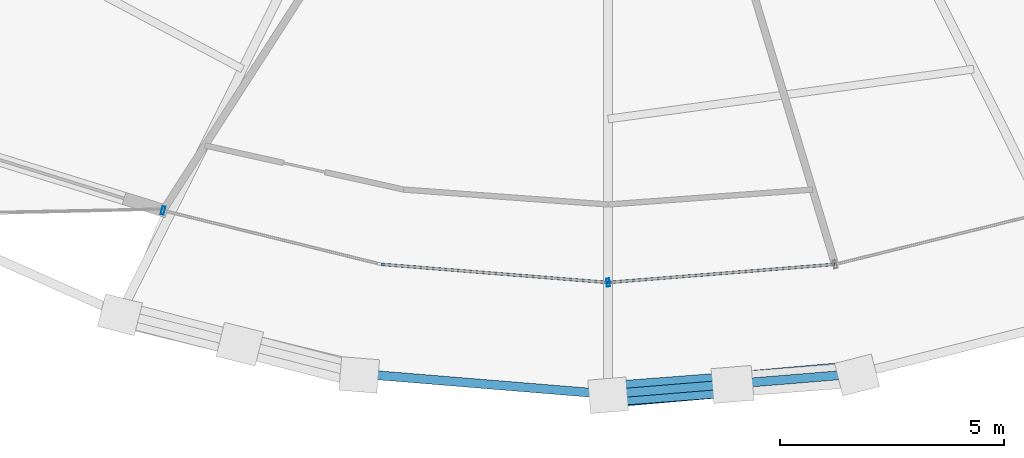
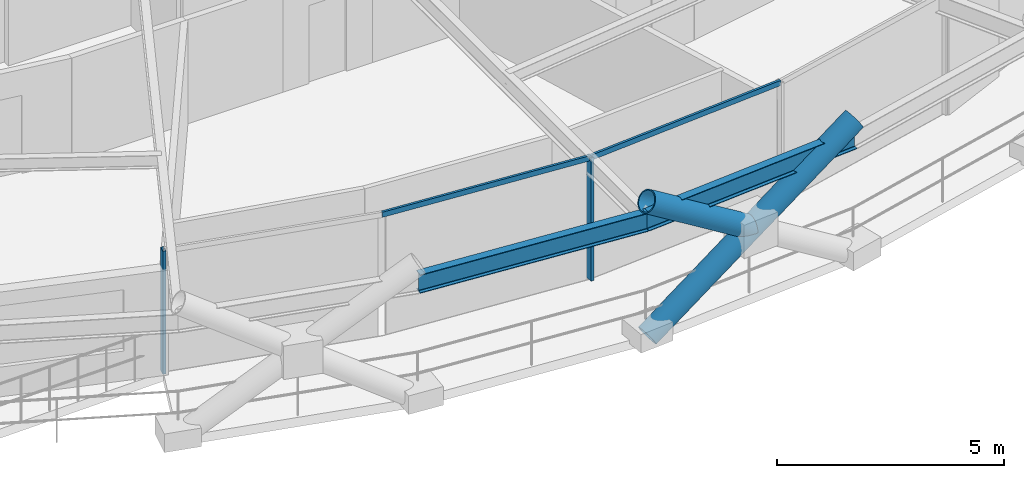
# One storey, part 2 of 21: 6 members, 2 beams, 1 element without a shape of its own.
"""IFC4 building model written with IfcOpenShell, lengths in metres."""

import ifcopenshell
import ifcopenshell.guid

model = None  # the IFC model being written
_history = None  # IfcOwnerHistory: only IFC2X3 demands one
_inside = {}  # id of a spatial element -> (the spatial element, [elements in it])
_under = {}  # id of a project, library or spatial element -> (it, [spatial elements below it])
_declared = {}  # id of a project -> (the project, [libraries it declares])
_typed = {}  # id of a type object -> (the type object, [elements of that type])
_made_of = {}  # id of a material, layer set ... -> (it, [elements and type objects made of it])


def new_model(schema):
    """Start an empty IFC model of exactly this schema.

    Asked for "IFC4X3", IfcOpenShell would pick the latest addendum, in which some entities
    have other attributes; the version numbers below select the first issue.
    IFC2X3 requires an IfcOwnerHistory on every rooted entity: one is made here for all.
    """
    global model, _history
    if schema == "IFC4X3":
        model = ifcopenshell.file(schema_version=(4, 3, 0, 0))
    else:
        model = ifcopenshell.file(schema=schema)
    _inside.clear()
    _under.clear()
    _declared.clear()
    _typed.clear()
    _made_of.clear()
    _history = None
    if model.schema == "IFC2X3":
        org = make("IfcOrganization", Name="unknown")
        user = make(
            "IfcPersonAndOrganization",
            ThePerson=make("IfcPerson", FamilyName="unknown"),
            TheOrganization=org,
        )
        app = make(
            "IfcApplication",
            ApplicationDeveloper=org,
            Version="unknown",
            ApplicationFullName="unknown",
            ApplicationIdentifier="unknown",
        )
        _history = make(
            "IfcOwnerHistory",
            OwningUser=user,
            OwningApplication=app,
            ChangeAction="ADDED",
            CreationDate=0,
        )
    return model


def make(cls, **values):
    """One entity of the class cls with the attributes given. An attribute that is None is left unset."""
    return model.create_entity(
        cls, **{name: value for name, value in values.items() if value is not None}
    )


def rooted(cls, **values):
    """An entity with a GlobalId (a new one), such as an element, a storey or a relation."""
    return make(cls, GlobalId=ifcopenshell.guid.new(), OwnerHistory=_history, **values)


def si_unit(unit_type, name, prefix=None):
    """IfcSIUnit, for example si_unit("LENGTHUNIT", "METRE", prefix="MILLI")."""
    return make("IfcSIUnit", UnitType=unit_type, Prefix=prefix, Name=name)


def assignment(units):
    """IfcUnitAssignment: the units of a project."""
    return None if units is None else make("IfcUnitAssignment", Units=units)


def point(xyz):
    """IfcCartesianPoint."""
    return None if xyz is None else make("IfcCartesianPoint", Coordinates=xyz)


def direction(xyz):
    """IfcDirection."""
    return None if xyz is None else make("IfcDirection", DirectionRatios=xyz)


def frame(location, z_axis=None, x_axis=None):
    """IfcAxis2Placement3D, a coordinate frame: its origin and axes. An axis left out is left unset."""
    return make(
        "IfcAxis2Placement3D",
        Location=point(location),
        Axis=direction(z_axis),
        RefDirection=direction(x_axis),
    )


def frame_2d(location, x_axis=None):
    """IfcAxis2Placement2D, a coordinate frame in the plane: its origin and x axis."""
    return make(
        "IfcAxis2Placement2D", Location=point(location), RefDirection=direction(x_axis)
    )


def origin():
    """The frame at (0, 0, 0) with its axes left unset."""
    return frame((0.0, 0.0, 0.0))


def origin_2d():
    """The frame at (0, 0) in the plane with its x axis left unset."""
    return frame_2d((0.0, 0.0))


def place(relative_to, where):
    """IfcLocalPlacement: puts the frame where relative to a parent placement (None: the world)."""
    return make(
        "IfcLocalPlacement", PlacementRelTo=relative_to, RelativePlacement=where
    )


def context(
    kind, dimensions, precision=None, world=None, true_north=None, identifier=None
):
    """IfcGeometricRepresentationContext, for example the 3D "Model" context."""
    return make(
        "IfcGeometricRepresentationContext",
        ContextIdentifier=identifier,
        ContextType=kind,
        CoordinateSpaceDimension=dimensions,
        Precision=precision,
        WorldCoordinateSystem=world,
        TrueNorth=true_north,
    )


def subcontext(parent, identifier, kind, view, scale=None):
    """IfcGeometricRepresentationSubContext, for example "Body" below "Model"."""
    return make(
        "IfcGeometricRepresentationSubContext",
        ContextIdentifier=identifier,
        ContextType=kind,
        ParentContext=parent,
        TargetScale=scale,
        TargetView=view,
    )


def project(units=None, contexts=None):
    """IfcProject with its units and contexts."""
    return rooted(
        "IfcProject",
        Name="project",
        RepresentationContexts=contexts,
        UnitsInContext=assignment(units),
    )


def spatial(cls, under=None, at=None, **own):
    """A site, building, storey or space (cls), placed at a placement, below another one or the project."""
    s = rooted(cls, ObjectPlacement=at, **own)
    if under is not None:
        _under.setdefault(under.id(), (under, []))[1].append(s)
    return s


def profile(cls, at=None, kind="AREA", **sizes):
    """A parametric profile (cls). Its sizes go by their IFC names, for example OverallWidth=200.0."""
    return make(cls, ProfileType=kind, Position=at, **sizes)


def hollow_rectangle(**sizes):
    """IfcRectangleHollowProfileDef."""
    return profile("IfcRectangleHollowProfileDef", **sizes)


def hollow_circle(**sizes):
    """IfcCircleHollowProfileDef."""
    return profile("IfcCircleHollowProfileDef", **sizes)


def i_section(**sizes):
    """IfcIShapeProfileDef."""
    return profile("IfcIShapeProfileDef", **sizes)


def extrude(swept, where, along, depth):
    """IfcExtrudedAreaSolid: the profile swept, set in the frame where, extruded along a direction by depth."""
    return make(
        "IfcExtrudedAreaSolid",
        SweptArea=swept,
        Position=where,
        ExtrudedDirection=direction(along),
        Depth=depth,
    )


def shape(context_of_items, identifier, shape_type, items):
    """IfcShapeRepresentation: the items that make up one representation, for example the "Body"."""
    return make(
        "IfcShapeRepresentation",
        ContextOfItems=context_of_items,
        RepresentationIdentifier=identifier,
        RepresentationType=shape_type,
        Items=items,
    )


def material(Name=None, Category=None):
    """IfcMaterial."""
    return make("IfcMaterial", Name=Name, Category=Category)


def layer(
    of_material, thickness, ventilated=None, Name=None, Category=None, Priority=None
):
    """IfcMaterialLayer: one layer of a wall or slab, of a material (None: an air gap)."""
    return make(
        "IfcMaterialLayer",
        Material=of_material,
        LayerThickness=thickness,
        IsVentilated=ventilated,
        Name=Name,
        Category=Category,
        Priority=Priority,
    )


def layer_set(layers, Name=None):
    """IfcMaterialLayerSet."""
    return make("IfcMaterialLayerSet", MaterialLayers=layers, LayerSetName=Name)


def material_profile(
    of_material, cross_section, Name=None, Category=None, Priority=None
):
    """IfcMaterialProfile: a cross section and its material."""
    return make(
        "IfcMaterialProfile",
        Name=Name,
        Material=of_material,
        Profile=cross_section,
        Priority=Priority,
        Category=Category,
    )


def profile_set(profiles, Name=None, composite=None):
    """IfcMaterialProfileSet."""
    return make(
        "IfcMaterialProfileSet",
        Name=Name,
        MaterialProfiles=profiles,
        CompositeProfile=composite,
    )


def made_of(thing, what):
    """Note that an element or type object is made of a material, layer set ...; save() writes the relation."""
    if what is not None:
        _made_of.setdefault(what.id(), (what, []))[1].append(thing)
    return thing


def type_object(cls, material=None, **own):
    """A type object (cls), such as IfcWallType, which elements share."""
    return made_of(rooted(cls, **own), material)


def element(
    cls,
    number,
    at=None,
    inside=None,
    cuts=None,
    type_object=None,
    material=None,
    context=None,
    identifier="Body",
    shape_type=None,
    held_by="IfcProductDefinitionShape",
    body=None,
    shapes=None,
    **own,
):
    """One element of the class cls, such as IfcWall. Its Tag is "e" and its number.

    at: its placement. inside: the storey or other place that contains it. cuts: it is an
    opening in that element (IfcRelVoidsElement). A single representation is given by context,
    identifier, shape_type and body (its items); several are given by shapes. held_by: the class
    of the entity that holds the representations. save() writes the other relations.
    """
    e = rooted(cls, Tag="e%d" % number, ObjectPlacement=at, **own)
    if body is not None:
        shapes = [shape(context, identifier, shape_type, body)]
    if shapes is not None:
        e.Representation = make(held_by, Representations=shapes)
    if inside is not None:
        _inside.setdefault(inside.id(), (inside, []))[1].append(e)
    if cuts is not None:
        rooted(
            "IfcRelVoidsElement", RelatingBuildingElement=cuts, RelatedOpeningElement=e
        )
    if type_object is not None:
        _typed.setdefault(type_object.id(), (type_object, []))[1].append(e)
    return made_of(e, material)


def aggregate(whole, parts):
    """IfcRelAggregates: a whole, such as a stair, and the parts it consists of."""
    return rooted("IfcRelAggregates", RelatingObject=whole, RelatedObjects=parts)


def save(model, path):
    """Write the relations noted so far, then the file.

    IfcRelAggregates (storeys below a building ...), IfcRelContainedInSpatialStructure (elements
    in a storey), IfcRelDefinesByType, IfcRelAssociatesMaterial and IfcRelDeclares: one each for
    every whole, place, type object, material and project.
    """
    for whole, parts in _under.values():
        aggregate(whole, parts)
    for where, things in _inside.values():
        rooted(
            "IfcRelContainedInSpatialStructure",
            RelatedElements=things,
            RelatingStructure=where,
        )
    for kind, things in _typed.values():
        rooted("IfcRelDefinesByType", RelatedObjects=things, RelatingType=kind)
    for what, things in _made_of.values():
        rooted("IfcRelAssociatesMaterial", RelatedObjects=things, RelatingMaterial=what)
    for by, libraries in _declared.values():
        rooted("IfcRelDeclares", RelatingContext=by, RelatedDefinitions=libraries)
    model.write(path)


model = new_model("IFC4")

# Units and contexts
model_context = context("Model", 3, precision=1e-05, world=origin(), true_north=direction((0.0, 1.0)))
body_context = subcontext(model_context, "Body", "Model", "MODEL_VIEW")
ifc_project = project(units=[si_unit("LENGTHUNIT", "METRE"), si_unit("AREAUNIT", "SQUARE_METRE"), si_unit("VOLUMEUNIT", "CUBIC_METRE"), si_unit("PLANEANGLEUNIT", "RADIAN"), si_unit("MASSUNIT", "GRAM", prefix="KILO")], contexts=[model_context])

# Site, building, storey
site_placement = place(None, origin())
site = spatial("IfcSite", under=ifc_project, at=site_placement, CompositionType="ELEMENT")
building_placement = place(site_placement, origin())
building = spatial("IfcBuilding", under=site, at=building_placement, Name="Veldorina Hangang Commons", CompositionType="ELEMENT")
storey_placement = place(building_placement, frame((0.0, 0.0, 135.199951171875)))
storey = spatial("IfcBuildingStorey", under=building, at=storey_placement, Name="L34", CompositionType="ELEMENT", Elevation=135.199951171875)

# Beams
ifc_material_1 = material(Name="Steel SM420-TMC", Category="steel")
ifc_material_profile_1 = material_profile(ifc_material_1, i_section(OverallWidth=0.199951171875, OverallDepth=0.5, WebThickness=0.010009765625, FlangeThickness=0.01611328125, FilletRadius=0.01611328125, at=origin_2d()), Name="H-500x200x10x16")
ifc_profile_set_1 = profile_set([ifc_material_profile_1], Name="Steel SM420-TMC")
beam_type = type_object("IfcBeamType", Name="BM-RB500", PredefinedType="BEAM", material=ifc_profile_set_1)
for number, where, z_axis, x_axis, name in (
    (1, (26.447021484375, 0.8291015625, 3.10009765625), (0.996673002693, -0.081504145307, 0.0), (0.081504145307, 0.996673002693, 0.0), "L34 perimeter hoop ring beam 23"),
    (2, (32.0, 0.375, 3.10009765625), (0.996673002693, 0.081504145307, 0.0), (-0.081504145307, 0.996673002693, 0.0), "L34 perimeter hoop ring beam 24"),
):
    element("IfcBeam", number, at=place(storey_placement, frame(where, z_axis=z_axis, x_axis=x_axis)), inside=storey, type_object=beam_type, Name=name, PredefinedType="BEAM", context=body_context, shape_type="SweptSolid", body=[
        extrude(i_section(OverallWidth=0.199951171875, OverallDepth=0.5, WebThickness=0.010009765625, FlangeThickness=0.01611328125, FilletRadius=0.01611328125, at=origin_2d()), origin(), (0.0, 0.0, 1.0), 5.571533203125),
    ])

# Curtain wall, members
ifc_material_2 = material(Name="Glass Low-E Triple IGU", Category="glass")
ifc_layer = layer(ifc_material_2, 0.179931640625)
ifc_layer_set = layer_set([ifc_layer], Name="Glass Low-E Triple IGU")
curtain_wall_type = type_object("IfcCurtainWallType", Name="CW-SYS-Z2", PredefinedType="NOTDEFINED", material=ifc_layer_set)
curtain_wall_placement = place(storey_placement, origin())
curtain_wall = element("IfcCurtainWall", 3, at=curtain_wall_placement, inside=storey, type_object=curtain_wall_type, Name="L34 unitised curtain wall CW-L34-R1", PredefinedType="NOTDEFINED")
ifc_material_3 = material(Name="Aluminium Anodized AA6063-T6", Category="aluminium")
ifc_material_profile_2 = material_profile(ifc_material_3, hollow_rectangle(XDim=0.070068359375, YDim=0.179931640625, WallThickness=0.00390625, at=origin_2d()), Name="ALU-RHS-180x70x4")
ifc_profile_set_2 = profile_set([ifc_material_profile_2], Name="Aluminium Anodized AA6063-T6")
member_type_1 = type_object("IfcMemberType", Name="CW-MUL-180", PredefinedType="MULLION", material=ifc_profile_set_2)
member_1_placement = place(storey_placement, frame((22.057373046875, 4.4775390625, 0.0), z_axis=(0.0, 0.0, 1.0), x_axis=(0.970888136612, -0.239533350884, 0.0)))
member_1 = element("IfcMember", 4, at=member_1_placement, type_object=member_type_1, Name="CW-L34-R1 vertical mullion 1", PredefinedType="MULLION", context=body_context, shape_type="SweptSolid", body=[
    extrude(hollow_rectangle(XDim=0.070068359375, YDim=0.179931640625, WallThickness=0.00390625, at=origin_2d()), origin(), (0.0, 0.0, 1.0), 3.31005859375),
])
member_2_placement = place(storey_placement, frame((32.0, 2.869140625, 0.0), z_axis=(0.0, 0.0, 1.0), x_axis=(0.996806812434, 0.079850977983, 0.0)))
member_2 = element("IfcMember", 5, at=member_2_placement, type_object=member_type_1, Name="CW-L34-R1 vertical mullion 2", PredefinedType="MULLION", context=body_context, shape_type="SweptSolid", body=[
    extrude(hollow_rectangle(XDim=0.070068359375, YDim=0.179931640625, WallThickness=0.00390625, at=origin_2d()), origin(), (0.0, 0.0, 1.0), 3.31005859375),
])
ifc_material_profile_3 = material_profile(ifc_material_3, hollow_rectangle(XDim=0.06005859375, YDim=0.139892578125, WallThickness=0.00341796875, at=origin_2d()), Name="ALU-RHS-140x60x3.5")
ifc_profile_set_3 = profile_set([ifc_material_profile_3], Name="Aluminium Anodized AA6063-T6")
member_type_2 = type_object("IfcMemberType", Name="CW-TRN-140", PredefinedType="USERDEFINED", material=ifc_profile_set_3)
member_3_placement = place(storey_placement, frame((26.931396484375, 3.275146484375, 3.27001953125), z_axis=(0.996807182109, -0.079846363077, 0.0), x_axis=(0.079846363077, 0.996807182109, 0.0)))
member_3 = element("IfcMember", 6, at=member_3_placement, type_object=member_type_2, Name="CW-L34-R1 facet 2 transom 1", ObjectType="TRANSOM", PredefinedType="USERDEFINED", context=body_context, shape_type="SweptSolid", body=[
    extrude(hollow_rectangle(XDim=0.06005859375, YDim=0.139892578125, WallThickness=0.00341796875, at=origin_2d()), origin(), (0.0, 0.0, 1.0), 5.084716796875),
])
member_4_placement = place(storey_placement, frame((32.0, 2.869140625, 3.27001953125), z_axis=(0.996807182109, 0.079846363077, 0.0), x_axis=(-0.079846363077, 0.996807182109, 0.0)))
member_4 = element("IfcMember", 7, at=member_4_placement, type_object=member_type_2, Name="CW-L34-R1 facet 3 transom 1", ObjectType="TRANSOM", PredefinedType="USERDEFINED", context=body_context, shape_type="SweptSolid", body=[
    extrude(hollow_rectangle(XDim=0.06005859375, YDim=0.139892578125, WallThickness=0.00341796875, at=origin_2d()), origin(), (0.0, 0.0, 1.0), 5.084716796875),
])
aggregate(curtain_wall, [member_1, member_2, member_3, member_4])

# Members
ifc_material_profile_4 = material_profile(ifc_material_1, hollow_circle(Radius=0.27490234375, WallThickness=0.028076171875, at=origin_2d()), Name="CHS-550x28")
ifc_profile_set_4 = profile_set([ifc_material_profile_4], Name="Steel SM420-TMC")
member_type_3 = type_object("IfcMemberType", Name="DG-CHS550", PredefinedType="BRACE", material=ifc_profile_set_4)
member_5_placement = place(storey_placement, frame((32.0, 0.34912109375, 0.0), z_axis=(0.836809663389, 0.072932445927, 0.542614453908), x_axis=(-0.086826213621, 0.996223473237, 0.0)))
element("IfcMember", 8, at=member_5_placement, inside=storey, type_object=member_type_3, Name="L34 continuous perimeter diagrid brace 24", PredefinedType="BRACE", context=body_context, shape_type="SweptSolid", body=[
    extrude(hollow_circle(Radius=0.27490234375, WallThickness=0.028076171875, at=origin_2d()), origin(), (0.0, 0.0, 1.0), 6.634765625),
])
member_6_placement = place(storey_placement, frame((34.778076171875, 0.59130859375, 1.801513671875), z_axis=(-0.837712010401, -0.063975018634, 0.542352085476), x_axis=(0.076147020483, -0.997096600772, 0.0)))
element("IfcMember", 9, at=member_6_placement, inside=storey, type_object=member_type_3, Name="L34 split perimeter diagrid upper brace 25", PredefinedType="BRACE", context=body_context, shape_type="SweptSolid", body=[
    extrude(hollow_circle(Radius=0.27490234375, WallThickness=0.028076171875, at=origin_2d()), origin(), (0.0, 0.0, 1.0), 3.316162109375),
])

save(model, "model.ifc")
